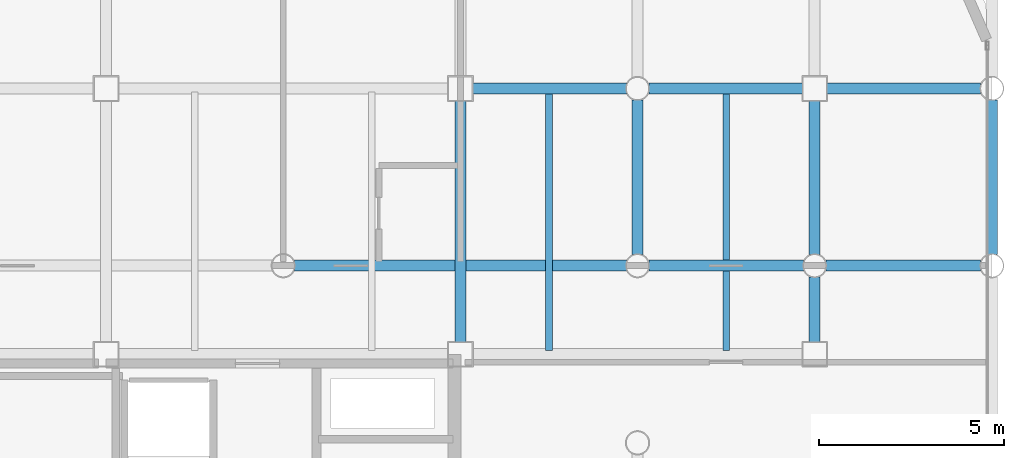
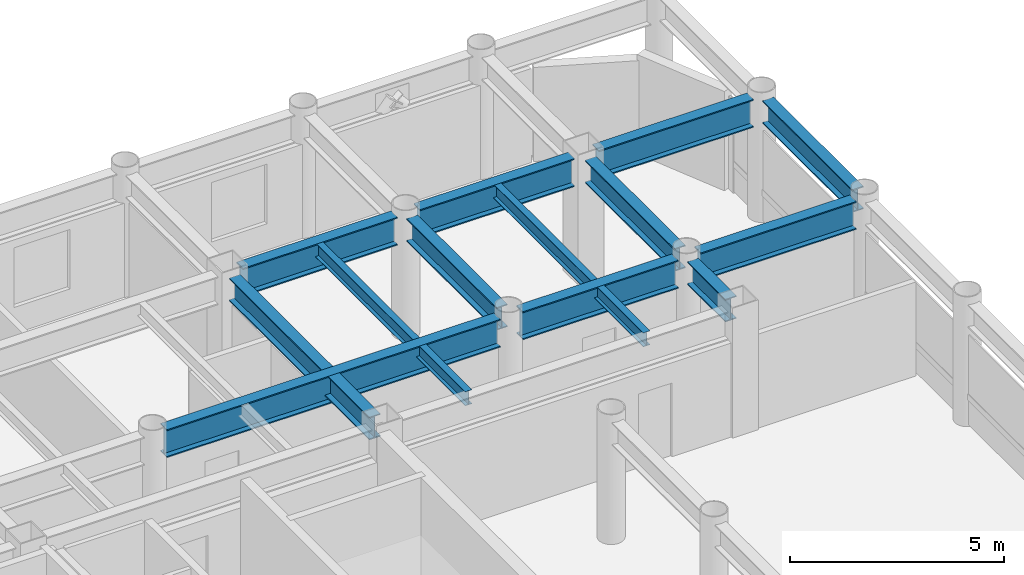
# One storey, part 13 of 20: 13 beams.
"""IFC4 building model written with IfcOpenShell, lengths in metres."""

from ifc_helpers import new_model, si_unit, direction, frame, origin, origin_2d, place, context, subcontext, project, spatial, i_section, extrude, material, material_profile, profile_set, type_object, element, save


model = new_model("IFC4")

# Units and contexts
model_context = context("Model", 3, precision=1e-05, world=origin(), true_north=direction((0.0, 1.0)))
body_context = subcontext(model_context, "Body", "Model", "MODEL_VIEW")
ifc_project = project(units=[si_unit("LENGTHUNIT", "METRE"), si_unit("AREAUNIT", "SQUARE_METRE"), si_unit("VOLUMEUNIT", "CUBIC_METRE"), si_unit("PLANEANGLEUNIT", "RADIAN"), si_unit("MASSUNIT", "GRAM", prefix="KILO")], contexts=[model_context])

# Site, building, storey
site_placement = place(None, origin())
site = spatial("IfcSite", under=ifc_project, at=site_placement, CompositionType="ELEMENT")
building_placement = place(site_placement, origin())
building = spatial("IfcBuilding", under=site, at=building_placement, Name="Kallvorn Hotel Tower", CompositionType="ELEMENT")
storey_placement = place(building_placement, frame((0.0, 0.0, 176.60009765625)))
storey = spatial("IfcBuildingStorey", under=building, at=storey_placement, Name="L44", CompositionType="ELEMENT", Elevation=176.60009765625)

# Beams
ifc_material_1 = material(Name="Structural steel S355JR", Category="steel")
ifc_material_profile_1 = material_profile(ifc_material_1, i_section(OverallWidth=0.300048828125, OverallDepth=0.64990234375, WebThickness=0.01611328125, FlangeThickness=0.031005859375, at=origin_2d()), Name="HE 650 B")
ifc_profile_set_1 = profile_set([ifc_material_profile_1], Name="Structural steel S355JR")
beam_type_1 = type_object("IfcBeamType", Name="BM_HE650B", PredefinedType="BEAM", material=ifc_profile_set_1)
beam_1_placement = place(storey_placement, frame((14.39990234375, 7.52490234375, 3.15478515625), z_axis=(0.0, 1.0, 0.0), x_axis=(-1.0, 0.0, 0.0)))
element("IfcBeam", 1, at=beam_1_placement, inside=storey, type_object=beam_type_1, Name="L45 Primary Y-Girder 125", PredefinedType="BEAM", context=body_context, shape_type="SweptSolid", body=[
    extrude(i_section(OverallWidth=0.300048828125, OverallDepth=0.64990234375, WebThickness=0.01611328125, FlangeThickness=0.031005859375, at=origin_2d()), origin(), (0.0, 0.0, 1.0), 6.550048828125),
])
beam_2_placement = place(storey_placement, frame((19.199951171875, 9.905029296875, 3.15478515625), z_axis=(0.0, 1.0, 0.0), x_axis=(-1.0, 0.0, 0.0)))
element("IfcBeam", 2, at=beam_2_placement, inside=storey, type_object=beam_type_1, Name="L45 Primary Y-Girder 134", PredefinedType="BEAM", context=body_context, shape_type="SweptSolid", body=[
    extrude(i_section(OverallWidth=0.300048828125, OverallDepth=0.64990234375, WebThickness=0.01611328125, FlangeThickness=0.031005859375, at=origin_2d()), origin(), (0.0, 0.0, 1.0), 4.18994140625),
])
beam_3_placement = place(storey_placement, frame((24.0, 7.52490234375, 3.15478515625), z_axis=(0.0, 1.0, 0.0), x_axis=(-1.0, 0.0, 0.0)))
element("IfcBeam", 3, at=beam_3_placement, inside=storey, type_object=beam_type_1, Name="L45 Primary Y-Girder 140", PredefinedType="BEAM", context=body_context, shape_type="SweptSolid", body=[
    extrude(i_section(OverallWidth=0.300048828125, OverallDepth=0.64990234375, WebThickness=0.01611328125, FlangeThickness=0.031005859375, at=origin_2d()), origin(), (0.0, 0.0, 1.0), 1.77001953125),
])
beam_4_placement = place(storey_placement, frame((24.0, 9.905029296875, 3.15478515625), z_axis=(0.0, 1.0, 0.0), x_axis=(-1.0, 0.0, 0.0)))
element("IfcBeam", 4, at=beam_4_placement, inside=storey, type_object=beam_type_1, Name="L45 Primary Y-Girder 141", PredefinedType="BEAM", context=body_context, shape_type="SweptSolid", body=[
    extrude(i_section(OverallWidth=0.300048828125, OverallDepth=0.64990234375, WebThickness=0.01611328125, FlangeThickness=0.031005859375, at=origin_2d()), origin(), (0.0, 0.0, 1.0), 4.169921875),
])
beam_5_placement = place(storey_placement, frame((28.800048828125, 9.905029296875, 3.15478515625), z_axis=(0.0, 1.0, 0.0), x_axis=(-1.0, 0.0, 0.0)))
element("IfcBeam", 5, at=beam_5_placement, inside=storey, type_object=beam_type_1, Name="L45 Primary Y-Girder 149", PredefinedType="BEAM", context=body_context, shape_type="SweptSolid", body=[
    extrude(i_section(OverallWidth=0.300048828125, OverallDepth=0.64990234375, WebThickness=0.01611328125, FlangeThickness=0.031005859375, at=origin_2d()), origin(), (0.0, 0.0, 1.0), 4.18994140625),
])
ifc_material_2 = material(Name="Structural steel S355JR", Category="steel")
ifc_material_profile_2 = material_profile(ifc_material_2, i_section(OverallWidth=0.300048828125, OverallDepth=0.800048828125, WebThickness=0.017578125, FlangeThickness=0.032958984375, at=origin_2d()), Name="HE 800 B")
ifc_profile_set_2 = profile_set([ifc_material_profile_2], Name="Structural steel S355JR")
beam_type_2 = type_object("IfcBeamType", Name="BM_HE800B", PredefinedType="BEAM", material=ifc_profile_set_2)
beam_6_placement = place(storey_placement, frame((9.905029296875, 9.60009765625, 3.079833984375), z_axis=(1.0, 0.0, 0.0), x_axis=(0.0, 1.0, 0.0)))
element("IfcBeam", 6, at=beam_6_placement, inside=storey, type_object=beam_type_2, Name="L45 Primary X-Girder 48", PredefinedType="BEAM", context=body_context, shape_type="SweptSolid", body=[
    extrude(i_section(OverallWidth=0.300048828125, OverallDepth=0.800048828125, WebThickness=0.017578125, FlangeThickness=0.032958984375, at=origin_2d()), origin(), (0.0, 0.0, 1.0), 8.989990234375),
])
for number, where, z_axis, x_axis, name in (
    (7, (19.5048828125, 9.60009765625, 3.079833984375), (1.0, 0.0, 0.0), (0.0, 1.0, 0.0), "L45 Primary X-Girder 49"),
    (8, (24.304931640625, 9.60009765625, 3.079833984375), (1.0, 0.0, 0.0), (0.0, 1.0, 0.0), "L45 Primary X-Girder 50"),
):
    element("IfcBeam", number, at=place(storey_placement, frame(where, z_axis=z_axis, x_axis=x_axis)), inside=storey, type_object=beam_type_2, Name=name, PredefinedType="BEAM", context=body_context, shape_type="SweptSolid", body=[
        extrude(i_section(OverallWidth=0.300048828125, OverallDepth=0.800048828125, WebThickness=0.017578125, FlangeThickness=0.032958984375, at=origin_2d()), origin(), (0.0, 0.0, 1.0), 4.190185546875),
    ])
beam_7_placement = place(storey_placement, frame((14.72509765625, 14.39990234375, 3.079833984375), z_axis=(1.0, 0.0, 0.0), x_axis=(0.0, 1.0, 0.0)))
element("IfcBeam", 9, at=beam_7_placement, inside=storey, type_object=beam_type_2, Name="L45 Primary X-Girder 58", PredefinedType="BEAM", context=body_context, shape_type="SweptSolid", body=[
    extrude(i_section(OverallWidth=0.300048828125, OverallDepth=0.800048828125, WebThickness=0.017578125, FlangeThickness=0.032958984375, at=origin_2d()), origin(), (0.0, 0.0, 1.0), 4.169921875),
])
for number, where, z_axis, x_axis, name in (
    (10, (19.5048828125, 14.39990234375, 3.079833984375), (1.0, 0.0, 0.0), (0.0, 1.0, 0.0), "L45 Primary X-Girder 59"),
    (11, (24.324951171875, 14.39990234375, 3.079833984375), (1.0, 0.0, 0.0), (0.0, 1.0, 0.0), "L45 Primary X-Girder 60"),
):
    element("IfcBeam", number, at=place(storey_placement, frame(where, z_axis=z_axis, x_axis=x_axis)), inside=storey, type_object=beam_type_2, Name=name, PredefinedType="BEAM", context=body_context, shape_type="SweptSolid", body=[
        extrude(i_section(OverallWidth=0.300048828125, OverallDepth=0.800048828125, WebThickness=0.017578125, FlangeThickness=0.032958984375, at=origin_2d()), origin(), (0.0, 0.0, 1.0), 4.170166015625),
    ])
ifc_material_3 = material(Name="Structural steel S355JR", Category="steel")
ifc_material_profile_3 = material_profile(ifc_material_3, i_section(OverallWidth=0.179931640625, OverallDepth=0.39990234375, WebThickness=0.008544921875, FlangeThickness=0.013427734375, at=origin_2d()), Name="IPE 400")
ifc_profile_set_3 = profile_set([ifc_material_profile_3], Name="Structural steel S355JR")
beam_type_3 = type_object("IfcBeamType", Name="BM_IPE400", PredefinedType="JOIST", material=ifc_profile_set_3)
for number, where, z_axis, x_axis, name in (
    (12, (16.800048828125, 7.300048828125, 3.27978515625), (0.0, 1.0, 0.0), (-1.0, 0.0, 0.0), "L45 Secondary Composite Joist 207"),
    (13, (21.60009765625, 7.300048828125, 3.27978515625), (0.0, 1.0, 0.0), (-1.0, 0.0, 0.0), "L45 Secondary Composite Joist 209"),
):
    element("IfcBeam", number, at=place(storey_placement, frame(where, z_axis=z_axis, x_axis=x_axis)), inside=storey, type_object=beam_type_3, Name=name, PredefinedType="JOIST", context=body_context, shape_type="SweptSolid", body=[
        extrude(i_section(OverallWidth=0.179931640625, OverallDepth=0.39990234375, WebThickness=0.008544921875, FlangeThickness=0.013427734375, at=origin_2d()), origin(), (0.0, 0.0, 1.0), 7.0),
    ])

save(model, "model.ifc")
